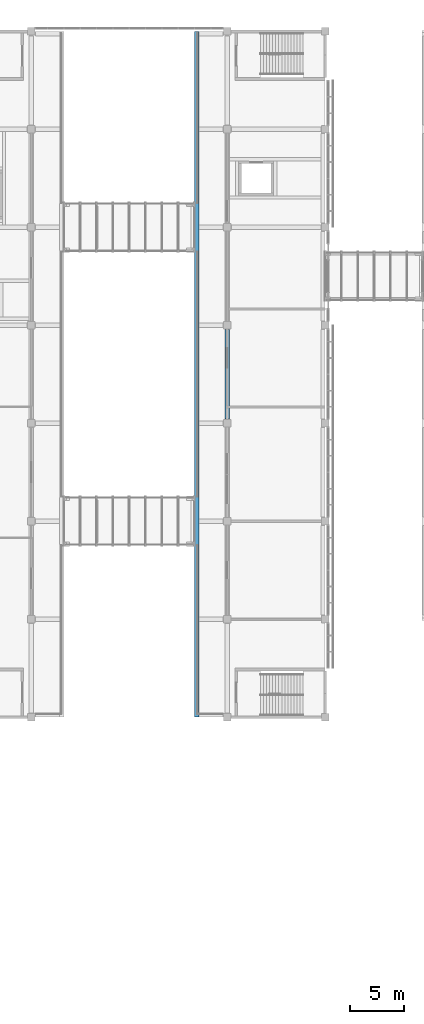
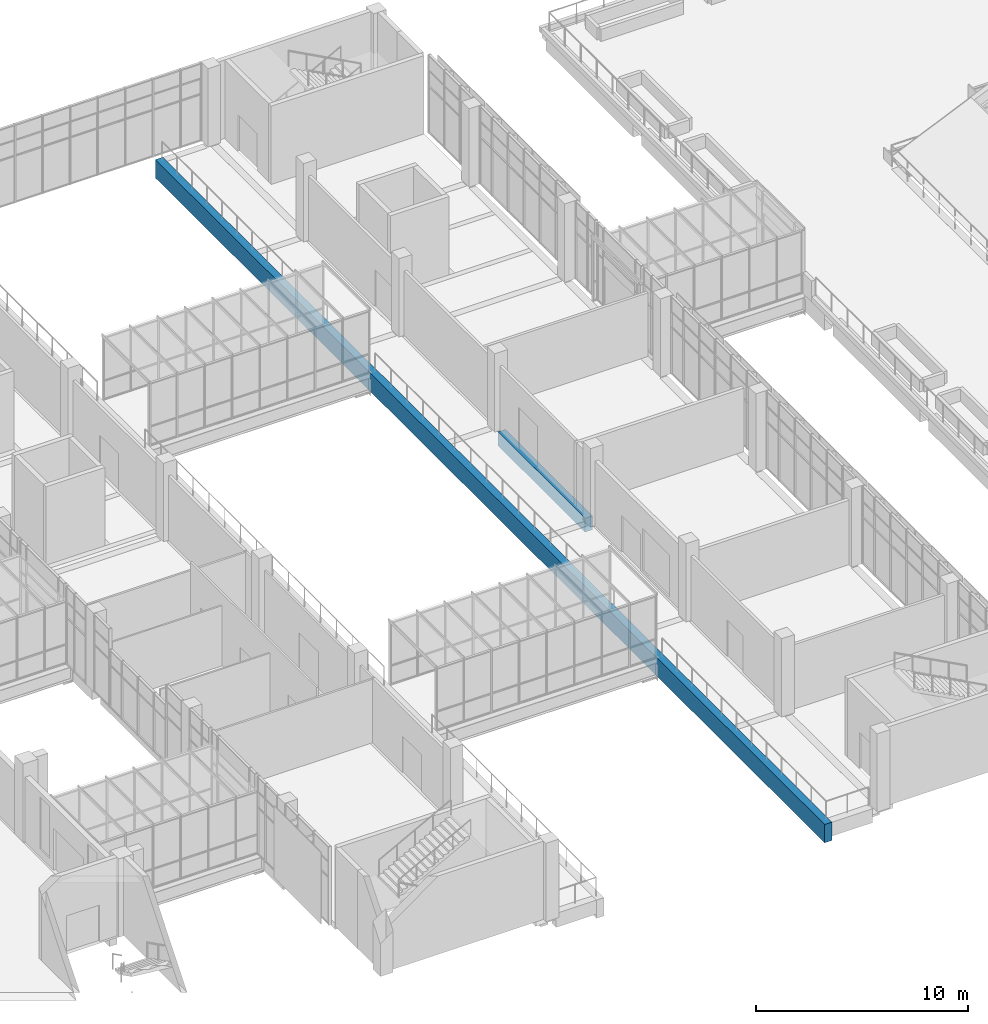
# One storey, part 23 of 106: 2 beams.
"""IFC4 building model written with IfcOpenShell, lengths in metres."""

from ifc_helpers import new_model, si_unit, direction, frame, origin, origin_2d, place, context, subcontext, project, spatial, rectangle, extrude, material, material_profile, profile_set, type_object, element, save


model = new_model("IFC4")

# Units and contexts
model_context = context("Model", 3, precision=1e-05, world=origin(), true_north=direction((0.0, 1.0)))
body_context = subcontext(model_context, "Body", "Model", "MODEL_VIEW")
ifc_project = project(units=[si_unit("LENGTHUNIT", "METRE"), si_unit("AREAUNIT", "SQUARE_METRE"), si_unit("VOLUMEUNIT", "CUBIC_METRE"), si_unit("PLANEANGLEUNIT", "RADIAN"), si_unit("MASSUNIT", "GRAM", prefix="KILO")], contexts=[model_context])

# Site, building, storey
site_placement = place(None, origin())
site = spatial("IfcSite", under=ifc_project, at=site_placement, CompositionType="ELEMENT")
building_placement = place(site_placement, origin())
building = spatial("IfcBuilding", under=site, at=building_placement, Name="Guidao Yard Department Store", CompositionType="ELEMENT")
storey_placement = place(building_placement, frame((0.0, 0.0, 10.5)))
storey = spatial("IfcBuildingStorey", under=building, at=storey_placement, Name="L02", CompositionType="ELEMENT", Elevation=10.5)

# Beams
ifc_material_1 = material(Name="Concrete C40", Category="concrete")
ifc_material_profile_1 = material_profile(ifc_material_1, rectangle(XDim=0.39990234375, YDim=1.050048828125, at=origin_2d()), Name="Bridge landing beam 400 x 1050 C40")
ifc_profile_set_1 = profile_set([ifc_material_profile_1], Name="Concrete C40")
beam_type_1 = type_object("IfcBeamType", Name="Bridge landing beam 400 x 1050 C40", PredefinedType="BEAM", material=ifc_profile_set_1)
beam_1_placement = place(storey_placement, frame((96.199951171875, 45.0, -0.52490234375), z_axis=(0.0, 1.0, 0.0), x_axis=(-1.0, 0.0, 0.0)))
element("IfcBeam", 1, at=beam_1_placement, inside=storey, type_object=beam_type_1, Name="Beam LB11", PredefinedType="BEAM", context=body_context, shape_type="SweptSolid", body=[
    extrude(rectangle(XDim=0.39990234375, YDim=1.050048828125, at=origin_2d()), origin(), (0.0, 0.0, 1.0), 63.0),
])
ifc_material_2 = material(Name="Concrete C40", Category="concrete")
ifc_material_profile_2 = material_profile(ifc_material_2, rectangle(XDim=0.39990234375, YDim=0.800048828125, at=origin_2d()), Name="Edge beam 400 x 800 C40")
ifc_profile_set_2 = profile_set([ifc_material_profile_2], Name="Concrete C40")
beam_type_2 = type_object("IfcBeamType", Name="Edge beam 400 x 800 C40", PredefinedType="BEAM", material=ifc_profile_set_2)
beam_2_placement = place(storey_placement, frame((99.0, 72.39990234375, -0.39990234375), z_axis=(0.0, 1.0, 0.0), x_axis=(-1.0, 0.0, 0.0)))
element("IfcBeam", 2, at=beam_2_placement, inside=storey, type_object=beam_type_2, Name="Beam EB52", PredefinedType="BEAM", context=body_context, shape_type="SweptSolid", body=[
    extrude(rectangle(XDim=0.39990234375, YDim=0.800048828125, at=origin_2d()), origin(), (0.0, 0.0, 1.0), 8.2001953125),
])

save(model, "model.ifc")
